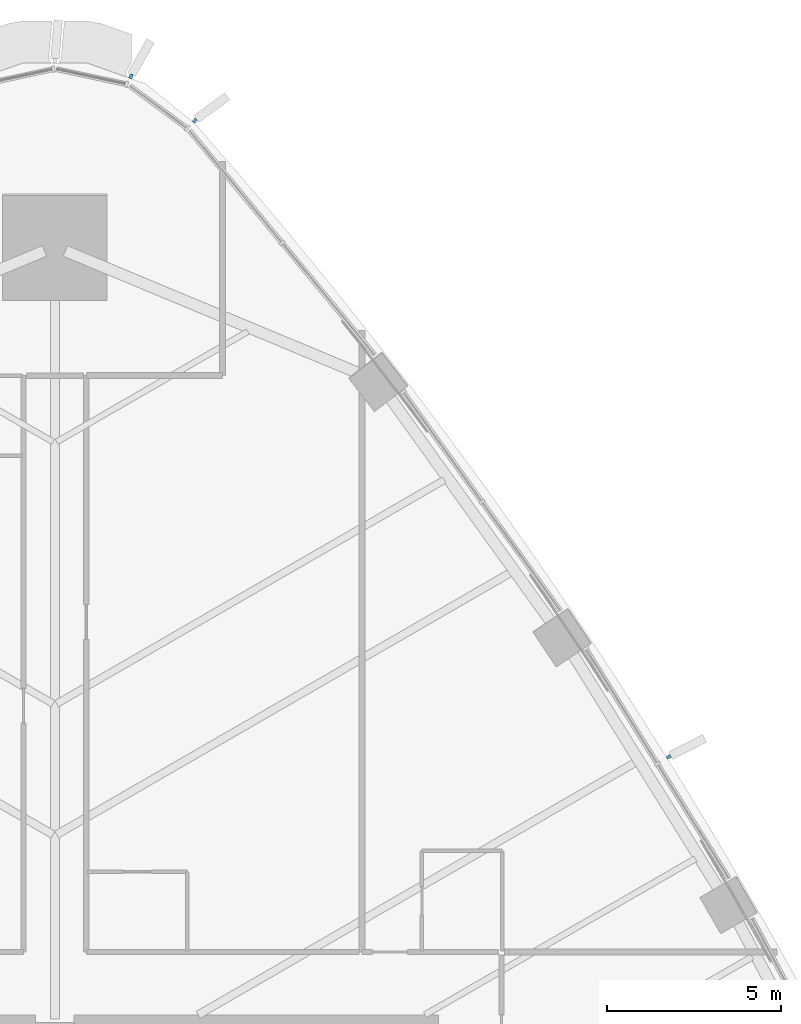
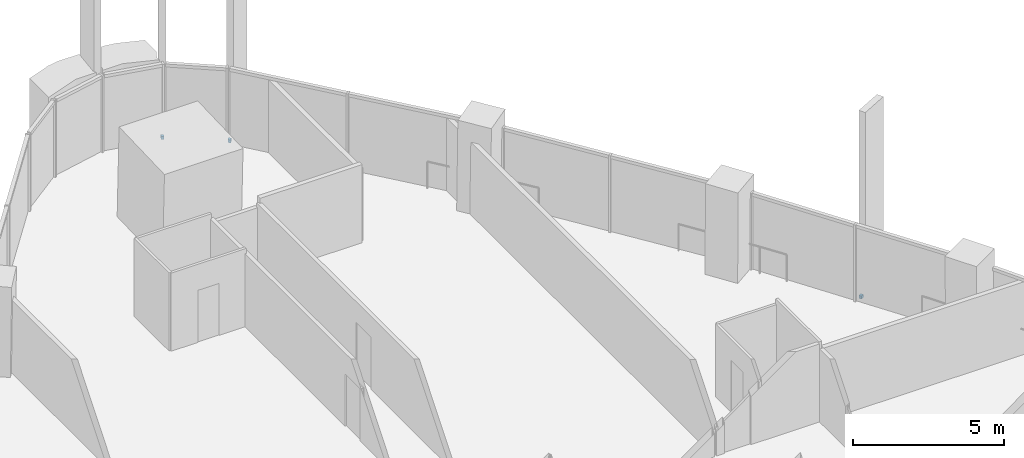
# One storey, part 19 of 25: 3 discrete accessories.
"""IFC4 building model written with IfcOpenShell, lengths in metres."""

from ifc_helpers import new_model, si_unit, direction, frame, origin, origin_2d, place, context, subcontext, project, spatial, rectangle, extrude, material, type_object, element, save


model = new_model("IFC4")

# Units and contexts
model_context = context("Model", 3, precision=1e-05, world=origin(), true_north=direction((0.0, 1.0)))
body_context = subcontext(model_context, "Body", "Model", "MODEL_VIEW")
ifc_project = project(units=[si_unit("LENGTHUNIT", "METRE"), si_unit("AREAUNIT", "SQUARE_METRE"), si_unit("VOLUMEUNIT", "CUBIC_METRE"), si_unit("PLANEANGLEUNIT", "RADIAN"), si_unit("MASSUNIT", "GRAM", prefix="KILO")], contexts=[model_context])

# Site, building, storey
site_placement = place(None, origin())
site = spatial("IfcSite", under=ifc_project, at=site_placement, CompositionType="ELEMENT")
building_placement = place(site_placement, origin())
building = spatial("IfcBuilding", under=site, at=building_placement, Name="Sierra Prisma Convention Tower", CompositionType="ELEMENT")
storey_placement = place(building_placement, frame((0.0, 0.0, 88.699951171875)))
storey = spatial("IfcBuildingStorey", under=building, at=storey_placement, Name="L18", CompositionType="ELEMENT", Elevation=88.699951171875)

# Discrete accessories
ifc_material = material(Name="Stainless steel 316", Category="steel")
discrete_accessory_type = type_object("IfcDiscreteAccessoryType", Name="Fin bracket", PredefinedType="BRACKET", material=ifc_material)
for number, where, z_axis, x_axis, name in (
    (1, (17.59326171875, 15.393798828125, -0.135009765625), (0.0, 0.0, 1.0), (0.847690160118, 0.530491651621, 0.0), "Fin bracket L18.10 base"),
    (2, (4.011474609375, 33.62744140625, -0.135009765625), (0.0, 0.0, 1.0), (0.62751083987, 0.778607825446, 0.0), "Fin bracket L18.17 base"),
    (3, (2.178955078125, 34.89892578125, -0.135009765625), (0.0, 0.0, 1.0), (0.332710215168, 0.943029115522, 0.0), "Fin bracket L18.18 base"),
):
    element("IfcDiscreteAccessory", number, at=place(storey_placement, frame(where, z_axis=z_axis, x_axis=x_axis)), inside=storey, type_object=discrete_accessory_type, Name=name, PredefinedType="BRACKET", context=body_context, shape_type="SweptSolid", body=[
        extrude(rectangle(XDim=0.1201171875, YDim=0.10009765625, at=origin_2d()), origin(), (0.0, 0.0, 1.0), 0.1201171875),
    ])

save(model, "model.ifc")
